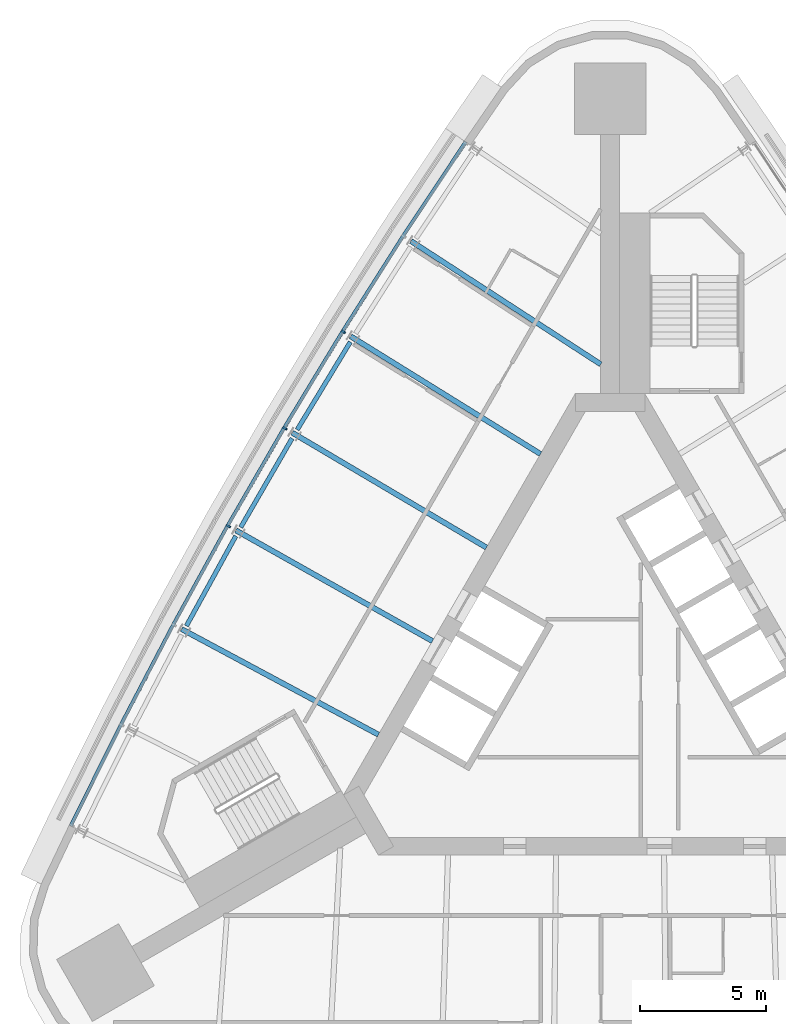
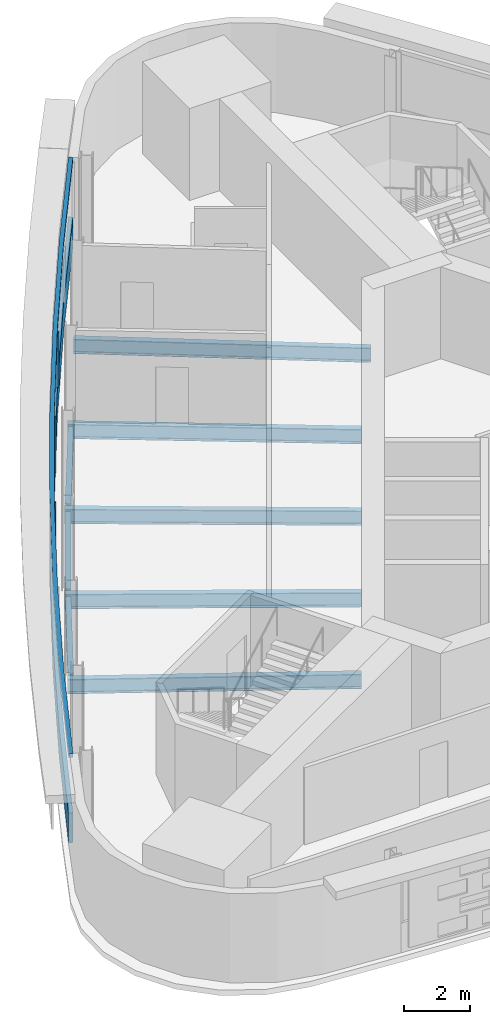
# One storey, part 4 of 12: 8 beams, 5 members, 1 element without a shape of its own.
"""IFC4 building model written with IfcOpenShell, lengths in metres."""

from ifc_helpers import new_model, si_unit, direction, frame, origin, origin_2d, place, context, subcontext, project, spatial, polyline, rectangle, i_section, outline, extrude, material, material_profile, profile_set, type_object, element, aggregate, save


model = new_model("IFC4")

# Units and contexts
model_context = context("Model", 3, precision=1e-05, world=origin(), true_north=direction((0.0, 1.0)))
body_context = subcontext(model_context, "Body", "Model", "MODEL_VIEW")
ifc_project = project(units=[si_unit("LENGTHUNIT", "METRE"), si_unit("AREAUNIT", "SQUARE_METRE"), si_unit("VOLUMEUNIT", "CUBIC_METRE"), si_unit("PLANEANGLEUNIT", "RADIAN"), si_unit("MASSUNIT", "GRAM", prefix="KILO")], contexts=[model_context])

# Site, building, storey
site_placement = place(None, origin())
site = spatial("IfcSite", under=ifc_project, at=site_placement, CompositionType="ELEMENT")
building_placement = place(site_placement, origin())
building = spatial("IfcBuilding", under=site, at=building_placement, Name="Noor Cloister Tower", CompositionType="ELEMENT")
storey_placement = place(building_placement, frame((0.0, 0.0, 158.10009765625)))
storey = spatial("IfcBuildingStorey", under=building, at=storey_placement, Name="L40", CompositionType="ELEMENT", Elevation=158.10009765625)

# Curtain wall, members
ifc_material_1 = material(Name="Aluminium 6063-T6 anodised", Category="aluminium")
curtain_wall_type = type_object("IfcCurtainWallType", Name="Ribbon curtain wall, upper tower CW5", PredefinedType="NOTDEFINED", material=ifc_material_1)
curtain_wall_placement = place(storey_placement, origin())
curtain_wall = element("IfcCurtainWall", 1, at=curtain_wall_placement, inside=storey, type_object=curtain_wall_type, Name="CW5 L40 NW run 1", PredefinedType="NOTDEFINED")
ifc_material_2 = material(Name="Aluminium 6063-T6 anodised", Category="aluminium")
member_type_1 = type_object("IfcMemberType", Name="Head transom CW5 150", PredefinedType="USERDEFINED", material=ifc_material_2)
member_1_placement = place(storey_placement, frame((0.0, 0.0, 3.14990234375)))
member_1 = element("IfcMember", 2, at=member_1_placement, type_object=member_type_1, Name="CW5 head transom", ObjectType="TRANSOM", PredefinedType="USERDEFINED", context=body_context, shape_type="SweptSolid", body=[
    extrude(outline(polyline([(-5.8095703125, 21.5244140625), (-8.2998046875, 17.7763671875), (-10.7109375, 13.97705078125), (-13.0419921875, 10.1279296875), (-15.2919921875, 6.23095703125), (-17.4599609375, 2.28759765625), (-19.544677734375, -1.7001953125), (-21.54541015625, -5.73095703125), (-21.420166015625, -5.793212890625), (-19.419921875, -1.763916015625), (-17.33642578125, 2.221435546875), (-15.170166015625, 6.162109375), (-12.921630859375, 10.056640625), (-10.592041015625, 13.903076171875), (-8.182373046875, 17.7001953125), (-5.69287109375, 21.447021484375), (-5.8095703125, 21.5244140625)])), origin(), (0.0, 0.0, 1.0), 0.14990234375),
])
ifc_material_3 = material(Name="Aluminium 6063-T6 anodised", Category="aluminium")
ifc_material_profile_1 = material_profile(ifc_material_3, rectangle(XDim=0.179931640625, YDim=0.070068359375, at=origin_2d()), Name="180 x 70 mullion")
ifc_profile_set_1 = profile_set([ifc_material_profile_1], Name="Aluminium 6063-T6 anodised")
member_type_2 = type_object("IfcMemberType", Name="Mullion CW5 70 x 180", PredefinedType="MULLION", material=ifc_profile_set_1)
member_2_placement = place(storey_placement, frame((-10.6259765625, 13.92431640625, 1.099853515625), z_axis=(0.0, 0.0, 1.0), x_axis=(0.849890779982, -0.526958880846, 0.0)))
member_2 = element("IfcMember", 3, at=member_2_placement, type_object=member_type_2, Name="CW5 mullion 3", PredefinedType="MULLION", context=body_context, shape_type="SweptSolid", body=[
    extrude(rectangle(XDim=0.179931640625, YDim=0.070068359375, at=origin_2d()), origin(), (0.0, 0.0, 1.0), 2.050048828125),
])
member_3_placement = place(storey_placement, frame((-12.9560546875, 10.076904296875, 1.099853515625), z_axis=(0.0, 0.0, 1.0), x_axis=(0.860741413976, -0.509042452322, 0.0)))
member_3 = element("IfcMember", 4, at=member_3_placement, type_object=member_type_2, Name="CW5 mullion 4", PredefinedType="MULLION", context=body_context, shape_type="SweptSolid", body=[
    extrude(rectangle(XDim=0.179931640625, YDim=0.070068359375, at=origin_2d()), origin(), (0.0, 0.0, 1.0), 2.050048828125),
])
member_4_placement = place(storey_placement, frame((-15.204833984375, 6.181640625, 1.099853515625), z_axis=(0.0, 0.0, 1.0), x_axis=(0.871214402304, -0.490902704432, 0.0)))
member_4 = element("IfcMember", 5, at=member_4_placement, type_object=member_type_2, Name="CW5 mullion 5", PredefinedType="MULLION", context=body_context, shape_type="SweptSolid", body=[
    extrude(rectangle(XDim=0.179931640625, YDim=0.070068359375, at=origin_2d()), origin(), (0.0, 0.0, 1.0), 2.050048828125),
])

# Beams
ifc_material_4 = material(Name="Steel ASTM A992 Gr 50", Category="steel")
ifc_material_profile_2 = material_profile(ifc_material_4, i_section(OverallWidth=0.208984375, OverallDepth=0.532958984375, WebThickness=0.01025390625, FlangeThickness=0.015625, FilletRadius=0.0126953125, at=origin_2d()), Name="W530x92")
ifc_profile_set_2 = profile_set([ifc_material_profile_2], Name="Steel ASTM A992 Gr 50")
beam_type_1 = type_object("IfcBeamType", Name="Radial beam W530x92", PredefinedType="BEAM", material=ifc_profile_set_2)
beam_1_placement = place(storey_placement, frame((-7.92822265625, 17.53515625, -0.466552734375), z_axis=(0.838662793349, -0.544651006657, 0.0), x_axis=(0.544651006657, 0.838662793349, 0.0)))
element("IfcBeam", 6, at=beam_1_placement, inside=storey, type_object=beam_type_1, Name="Radial beam NW 02 L40", PredefinedType="BEAM", context=body_context, shape_type="SweptSolid", body=[
    extrude(i_section(OverallWidth=0.208984375, OverallDepth=0.532958984375, WebThickness=0.01025390625, FlangeThickness=0.015625, FilletRadius=0.0126953125, at=origin_2d()), origin(), (0.0, 0.0, 1.0), 9.00634765625),
])
beam_2_placement = place(storey_placement, frame((-10.33447265625, 13.743408203125, -0.466552734375), z_axis=(0.849896547603, -0.526949578586, 0.0), x_axis=(0.526949578586, 0.849896547603, 0.0)))
element("IfcBeam", 7, at=beam_2_placement, inside=storey, type_object=beam_type_1, Name="Radial beam NW 03 L40", PredefinedType="BEAM", context=body_context, shape_type="SweptSolid", body=[
    extrude(i_section(OverallWidth=0.208984375, OverallDepth=0.532958984375, WebThickness=0.01025390625, FlangeThickness=0.015625, FilletRadius=0.0126953125, at=origin_2d()), origin(), (0.0, 0.0, 1.0), 8.89794921875),
])
for number, where, z_axis, x_axis, name in (
    (8, (-12.660888671875, 9.90234375, -0.466552734375), (0.860751813994, -0.509024866491, 0.0), (0.509024866491, 0.860751813994, 0.0), "Radial beam NW 04 L40"),
    (9, (-14.906005859375, 6.013427734375, -0.466552734375), (0.871204595241, -0.490920108808, 0.0), (0.490920108808, 0.871204595241, 0.0), "Radial beam NW 05 L40"),
):
    element("IfcBeam", number, at=place(storey_placement, frame(where, z_axis=z_axis, x_axis=x_axis)), inside=storey, type_object=beam_type_1, Name=name, PredefinedType="BEAM", context=body_context, shape_type="SweptSolid", body=[
        extrude(i_section(OverallWidth=0.208984375, OverallDepth=0.532958984375, WebThickness=0.01025390625, FlangeThickness=0.015625, FilletRadius=0.0126953125, at=origin_2d()), origin(), (0.0, 0.0, 1.0), 8.988037109375),
    ])
beam_3_placement = place(storey_placement, frame((-17.069580078125, 2.078125, -0.466552734375), z_axis=(0.881310226852, -0.472538129727, 0.0), x_axis=(0.472538129727, 0.881310226852, 0.0)))
element("IfcBeam", 10, at=beam_3_placement, inside=storey, type_object=beam_type_1, Name="Radial beam NW 06 L40", PredefinedType="BEAM", context=body_context, shape_type="SweptSolid", body=[
    extrude(i_section(OverallWidth=0.208984375, OverallDepth=0.532958984375, WebThickness=0.01025390625, FlangeThickness=0.015625, FilletRadius=0.0126953125, at=origin_2d()), origin(), (0.0, 0.0, 1.0), 8.89794921875),
])

# Member
ifc_material_5 = material(Name="Aluminium 6063-T6 anodised", Category="aluminium")
member_type_3 = type_object("IfcMemberType", Name="Sill transom CW5 1100", PredefinedType="USERDEFINED", material=ifc_material_5)
member_5_placement = place(storey_placement, origin())
member_5 = element("IfcMember", 11, at=member_5_placement, type_object=member_type_3, Name="CW5 sill transom", ObjectType="TRANSOM", PredefinedType="USERDEFINED", context=body_context, shape_type="SweptSolid", body=[
    extrude(outline(polyline([(-5.8095703125, 21.5244140625), (-8.2998046875, 17.7763671875), (-10.7109375, 13.97705078125), (-13.0419921875, 10.1279296875), (-15.2919921875, 6.23095703125), (-17.4599609375, 2.28759765625), (-19.544677734375, -1.7001953125), (-21.54541015625, -5.73095703125), (-21.420166015625, -5.793212890625), (-19.419921875, -1.763916015625), (-17.33642578125, 2.221435546875), (-15.170166015625, 6.162109375), (-12.921630859375, 10.056640625), (-10.592041015625, 13.903076171875), (-8.182373046875, 17.7001953125), (-5.69287109375, 21.447021484375), (-5.8095703125, 21.5244140625)])), origin(), (0.0, 0.0, 1.0), 1.099853515625),
])

aggregate(curtain_wall, [member_2, member_3, member_4, member_5, member_1])

# Beams
ifc_material_6 = material(Name="Steel ASTM A992 Gr 50", Category="steel")
ifc_material_profile_3 = material_profile(ifc_material_6, i_section(OverallWidth=0.177978515625, OverallDepth=0.406005859375, WebThickness=0.0078125, FlangeThickness=0.0126953125, FilletRadius=0.01025390625, at=origin_2d()), Name="W410x60")
ifc_profile_set_3 = profile_set([ifc_material_profile_3], Name="Steel ASTM A992 Gr 50")
beam_type_2 = type_object("IfcBeamType", Name="Spandrel beam W410x60", PredefinedType="SPANDREL", material=ifc_profile_set_3)
beam_4_placement = place(storey_placement, frame((-10.346923828125, 13.5166015625, -0.403076171875), z_axis=(-0.518011929621, -0.855373392602, 0.0), x_axis=(0.855373392602, -0.518011929621, 0.0)))
element("IfcBeam", 12, at=beam_4_placement, inside=storey, type_object=beam_type_2, Name="Spandrel beam NW 03 L40", PredefinedType="SPANDREL", context=body_context, shape_type="SweptSolid", body=[
    extrude(i_section(OverallWidth=0.177978515625, OverallDepth=0.406005859375, WebThickness=0.0078125, FlangeThickness=0.0126953125, FilletRadius=0.01025390625, at=origin_2d()), origin(), (0.0, 0.0, 1.0), 4.089599609375),
])
beam_5_placement = place(storey_placement, frame((-12.66845703125, 9.675048828125, -0.403076171875), z_axis=(-0.499998074415, -0.866026515518, 0.0), x_axis=(0.866026515518, -0.499998074415, 0.0)))
element("IfcBeam", 13, at=beam_5_placement, inside=storey, type_object=beam_type_2, Name="Spandrel beam NW 04 L40", PredefinedType="SPANDREL", context=body_context, shape_type="SweptSolid", body=[
    extrude(i_section(OverallWidth=0.177978515625, OverallDepth=0.406005859375, WebThickness=0.0078125, FlangeThickness=0.0126953125, FilletRadius=0.01025390625, at=origin_2d()), origin(), (0.0, 0.0, 1.0), 4.08935546875),
])
beam_6_placement = place(storey_placement, frame((-14.908935546875, 5.7861328125, -0.403076171875), z_axis=(-0.48176061744, -0.876302862875, 0.0), x_axis=(0.876302862875, -0.48176061744, 0.0)))
element("IfcBeam", 14, at=beam_6_placement, inside=storey, type_object=beam_type_2, Name="Spandrel beam NW 05 L40", PredefinedType="SPANDREL", context=body_context, shape_type="SweptSolid", body=[
    extrude(i_section(OverallWidth=0.177978515625, OverallDepth=0.406005859375, WebThickness=0.0078125, FlangeThickness=0.0126953125, FilletRadius=0.01025390625, at=origin_2d()), origin(), (0.0, 0.0, 1.0), 4.089599609375),
])

save(model, "model.ifc")
